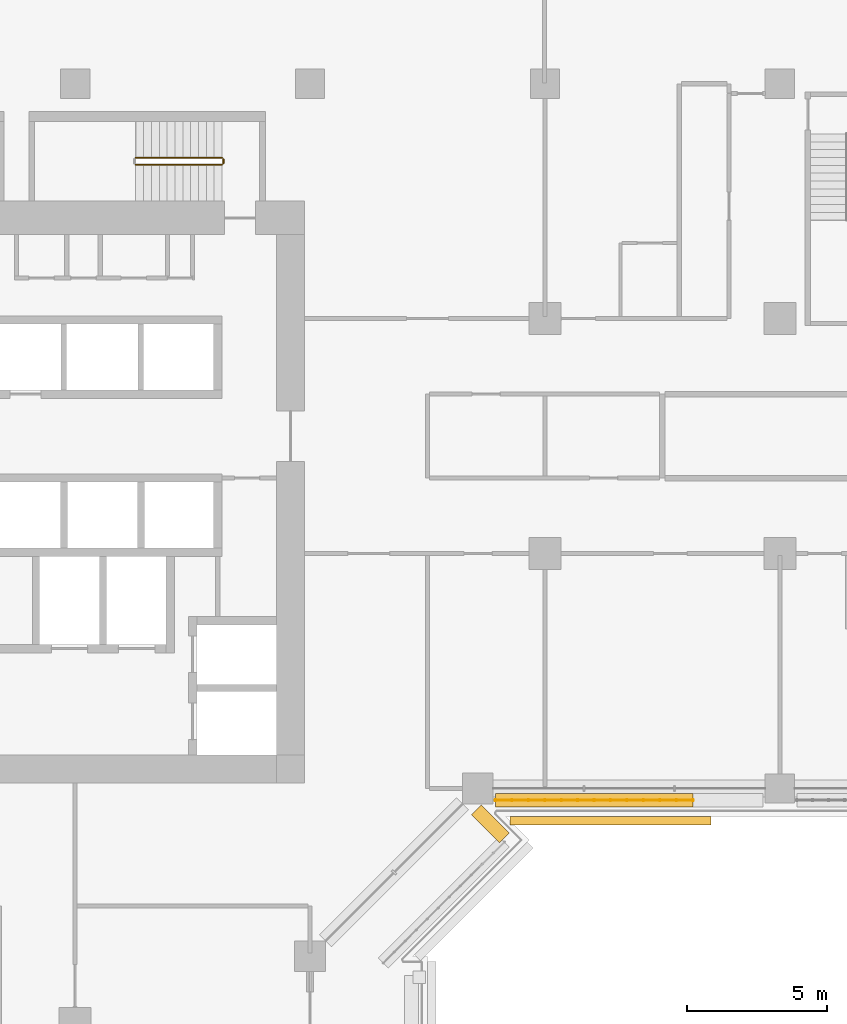
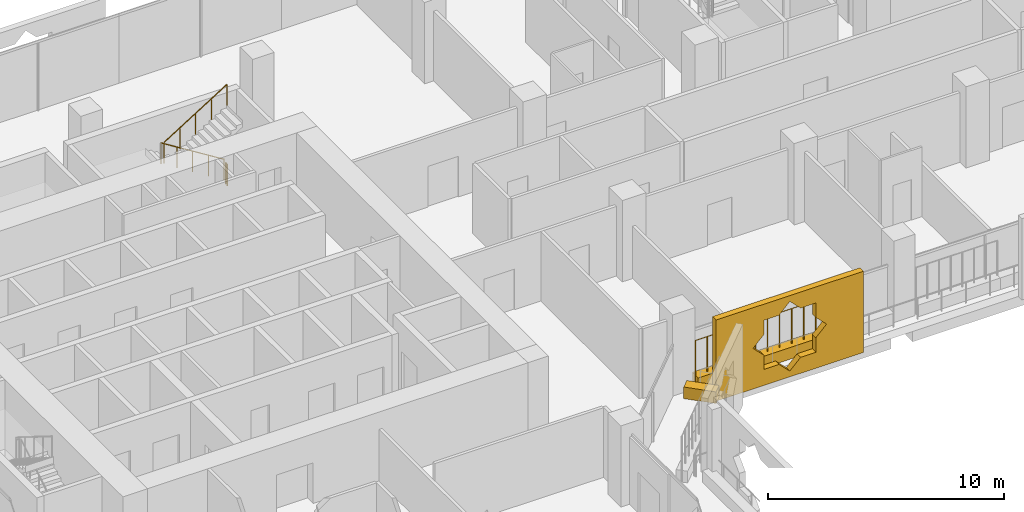
# One storey, part 22 of 25: 4 railings, 3 coverings.
"""IFC4 building model written with IfcOpenShell, lengths in metres."""

from ifc_helpers import new_model, si_unit, direction, frame, origin, origin_2d, place, context, subcontext, project, spatial, polyline, rectangle, circle, outline, extrude, material, material_profile, profile_set, type_object, element, save


model = new_model("IFC4")

# Units and contexts
model_context = context("Model", 3, precision=1e-05, world=origin(), true_north=direction((0.0, 1.0)))
body_context = subcontext(model_context, "Body", "Model", "MODEL_VIEW")
ifc_project = project(units=[si_unit("LENGTHUNIT", "METRE"), si_unit("AREAUNIT", "SQUARE_METRE"), si_unit("VOLUMEUNIT", "CUBIC_METRE"), si_unit("PLANEANGLEUNIT", "RADIAN"), si_unit("MASSUNIT", "GRAM", prefix="KILO")], contexts=[model_context])

# Site, building, storey
site_placement = place(None, origin())
site = spatial("IfcSite", under=ifc_project, at=site_placement, CompositionType="ELEMENT")
building_placement = place(site_placement, origin())
building = spatial("IfcBuilding", under=site, at=building_placement, Name="Kawkab Arch Medical Tower", CompositionType="ELEMENT")
storey_placement = place(building_placement, frame((0.0, 0.0, 128.199951171875)))
storey = spatial("IfcBuildingStorey", under=building, at=storey_placement, Name="L29", CompositionType="ELEMENT", Elevation=128.199951171875)

# Coverings
ifc_material_1 = material(Name="Bronze anodised aluminium mashrabiya panel, eight-point star pattern", Category="aluminium")
ifc_material_profile_1 = material_profile(ifc_material_1, outline(polyline([(-3.60009765625, -2.10009765625), (3.60009765625, -2.10009765625), (3.60009765625, 2.10009765625), (-3.60009765625, 2.10009765625), (-3.60009765625, -2.10009765625)]), holes=[polyline([(1.800048828125, 0.0), (1.272705078125, 0.527099609375), (1.272705078125, 1.272705078125), (0.527099609375, 1.272705078125), (0.0, 1.800048828125), (-0.527099609375, 1.272705078125), (-1.272705078125, 1.272705078125), (-1.272705078125, 0.527099609375), (-1.800048828125, 0.0), (-1.272705078125, -0.527099609375), (-1.272705078125, -1.272705078125), (-0.527099609375, -1.272705078125), (0.0, -1.800048828125), (0.527099609375, -1.272705078125), (1.272705078125, -1.272705078125), (1.272705078125, -0.527099609375), (1.800048828125, 0.0)])]), Name="Mashrabiya panel 7200x4200")
ifc_profile_set_1 = profile_set([ifc_material_profile_1], Name="Bronze anodised aluminium mashrabiya panel, eight-point star pattern")
covering_type_1 = type_object("IfcCoveringType", Name="Mashrabiya panel 7200 x 4200", PredefinedType="USERDEFINED", material=ifc_profile_set_1)
covering_1_placement = place(storey_placement, frame((35.944580078125, -26.199951171875, 1.699951171875), z_axis=(0.0, -1.0, 0.0), x_axis=(1.0, 0.0, 0.0)))
element("IfcCovering", 1, at=covering_1_placement, inside=storey, type_object=covering_type_1, Name="Mashrabiya panel L29.LOG-01-01.13", ObjectType="SCREEN", PredefinedType="USERDEFINED", context=body_context, shape_type="SweptSolid", body=[
    extrude(outline(polyline([(-3.60009765625, -2.10009765625), (3.60009765625, -2.10009765625), (3.60009765625, 2.10009765625), (-3.60009765625, 2.10009765625), (-3.60009765625, -2.10009765625)]), holes=[polyline([(1.800048828125, 0.0), (1.272705078125, 0.527099609375), (1.272705078125, 1.272705078125), (0.527099609375, 1.272705078125), (0.0, 1.800048828125), (-0.527099609375, 1.272705078125), (-1.272705078125, 1.272705078125), (-1.272705078125, 0.527099609375), (-1.800048828125, 0.0), (-1.272705078125, -0.527099609375), (-1.272705078125, -1.272705078125), (-0.527099609375, -1.272705078125), (0.0, -1.800048828125), (0.527099609375, -1.272705078125), (1.272705078125, -1.272705078125), (1.272705078125, -0.527099609375), (1.800048828125, 0.0)])]), origin(), (0.0, 0.0, 1.0), 0.300048828125),
])
ifc_material_2 = material(Name="Planting soil in a precast trough", Category="concrete")
ifc_material_profile_2 = material_profile(ifc_material_2, rectangle(XDim=0.5, YDim=0.60009765625, at=origin_2d()), Name="Trough 500x600")
ifc_profile_set_2 = profile_set([ifc_material_profile_2], Name="Planting soil in a precast trough")
covering_type_2 = type_object("IfcCoveringType", Name="Planter trough 500 x 600", PredefinedType="USERDEFINED", material=ifc_profile_set_2)
covering_2_placement = place(storey_placement, frame((38.89306640625, -25.6201171875, 0.300048828125), z_axis=(-1.0, 0.0, 0.0), x_axis=(0.0, -1.0, 0.0)))
element("IfcCovering", 2, at=covering_2_placement, inside=storey, type_object=covering_type_2, Name="Planter L29.LOG-01-01.41", ObjectType="PLANTER", PredefinedType="USERDEFINED", context=body_context, shape_type="SweptSolid", body=[
    extrude(rectangle(XDim=0.5, YDim=0.60009765625, at=origin_2d()), origin(), (0.0, 0.0, 1.0), 7.06298828125),
])
covering_3_placement = place(storey_placement, frame((31.14306640625, -25.962890625, 0.300048828125), z_axis=(0.707020805532, -0.707192746389, 0.0), x_axis=(0.707192746389, 0.707020805532, 0.0)))
element("IfcCovering", 3, at=covering_3_placement, inside=storey, type_object=covering_type_2, Name="Planter L29.LOG-01-01.42", ObjectType="PLANTER", PredefinedType="USERDEFINED", context=body_context, shape_type="SweptSolid", body=[
    extrude(rectangle(XDim=0.5, YDim=0.60009765625, at=origin_2d()), origin(), (0.0, 0.0, 1.0), 1.419921875),
])

# Railings
ifc_material_3 = material(Name="Bronze anodised aluminium trellis for climbing plants", Category="aluminium")
railing_type_1 = type_object("IfcRailingType", Name="Planting trellis 2400", PredefinedType="USERDEFINED", material=ifc_material_3)
railing_1_placement = place(storey_placement, frame((38.89306640625, -25.6201171875, 0.0)))
element("IfcRailing", 4, at=railing_1_placement, inside=storey, type_object=railing_type_1, Name="Planting trellis L29.LOG-01-01.41", ObjectType="TRELLIS", PredefinedType="USERDEFINED", context=body_context, shape_type="SweptSolid", body=[
    extrude(circle(Radius=0.01513671875, at=origin_2d()), frame((0.0, 0.0, 2.384765625), z_axis=(-1.0, 0.0, 0.0), x_axis=(0.0, -1.0, 0.0)), (0.0, 0.0, 1.0), 7.06298828125),
    extrude(circle(Radius=0.030029296875, at=origin_2d()), origin(), (0.0, 0.0, 1.0), 2.369873046875),
    extrude(circle(Radius=0.030029296875, at=origin_2d()), frame((-0.588623046875, 0.0, 0.0)), (0.0, 0.0, 1.0), 2.369873046875),
    extrude(circle(Radius=0.030029296875, at=origin_2d()), frame((-1.17724609375, 0.0, 0.0)), (0.0, 0.0, 1.0), 2.369873046875),
    extrude(circle(Radius=0.030029296875, at=origin_2d()), frame((-1.765625, 0.0, 0.0)), (0.0, 0.0, 1.0), 2.369873046875),
    extrude(circle(Radius=0.030029296875, at=origin_2d()), frame((-2.354248046875, 0.0, 0.0)), (0.0, 0.0, 1.0), 2.369873046875),
    extrude(circle(Radius=0.030029296875, at=origin_2d()), frame((-2.94287109375, 0.0, 0.0)), (0.0, 0.0, 1.0), 2.369873046875),
    extrude(circle(Radius=0.030029296875, at=origin_2d()), frame((-3.531494140625, 0.0, 0.0)), (0.0, 0.0, 1.0), 2.369873046875),
    extrude(circle(Radius=0.030029296875, at=origin_2d()), frame((-4.1201171875, 0.0, 0.0)), (0.0, 0.0, 1.0), 2.369873046875),
    extrude(circle(Radius=0.030029296875, at=origin_2d()), frame((-4.708740234375, 0.0, 0.0)), (0.0, 0.0, 1.0), 2.369873046875),
    extrude(circle(Radius=0.030029296875, at=origin_2d()), frame((-5.29736328125, 0.0, 0.0)), (0.0, 0.0, 1.0), 2.369873046875),
    extrude(circle(Radius=0.030029296875, at=origin_2d()), frame((-5.8857421875, 0.0, 0.0)), (0.0, 0.0, 1.0), 2.369873046875),
    extrude(circle(Radius=0.030029296875, at=origin_2d()), frame((-6.474365234375, 0.0, 0.0)), (0.0, 0.0, 1.0), 2.369873046875),
    extrude(circle(Radius=0.030029296875, at=origin_2d()), frame((-7.06298828125, 0.0, 0.0)), (0.0, 0.0, 1.0), 2.369873046875),
])
ifc_material_4 = material(Name="Stainless steel", Category="steel")
railing_type_2 = type_object("IfcRailingType", Name="Stair guard 1100", PredefinedType="GUARDRAIL", material=ifc_material_4)
railing_2_placement = place(storey_placement, frame((22.050048828125, -2.64990234375, 0.175048828125)))
element("IfcRailing", 5, at=railing_2_placement, inside=storey, type_object=railing_type_2, Name="L29 ST4 stair guard 1", PredefinedType="GUARDRAIL", context=body_context, shape_type="SweptSolid", body=[
    extrude(circle(Radius=0.02392578125, at=origin_2d()), frame((0.0, 0.0, 1.076171875), z_axis=(-0.847998304005, 0.0, 0.529998940003), x_axis=(0.0, -1.0, 0.0)), (0.0, 0.0, 1.0), 3.632080078125),
    extrude(circle(Radius=0.02099609375, at=origin_2d()), origin(), (0.0, 0.0, 1.0), 1.052001953125),
    extrude(circle(Radius=0.02099609375, at=origin_2d()), frame((-0.77001953125, 0.0, 0.481201171875)), (0.0, 0.0, 1.0), 1.052001953125),
    extrude(circle(Radius=0.02099609375, at=origin_2d()), frame((-1.5400390625, 0.0, 0.96240234375)), (0.0, 0.0, 1.0), 1.052001953125),
    extrude(circle(Radius=0.02099609375, at=origin_2d()), frame((-2.31005859375, 0.0, 1.44384765625)), (0.0, 0.0, 1.0), 1.052001953125),
    extrude(circle(Radius=0.02099609375, at=origin_2d()), frame((-3.080078125, 0.0, 1.925048828125)), (0.0, 0.0, 1.0), 1.052001953125),
])
railing_3_placement = place(storey_placement, frame((18.969970703125, -2.89990234375, 2.275146484375)))
element("IfcRailing", 6, at=railing_3_placement, inside=storey, type_object=railing_type_2, Name="L29 ST4 stair guard 3", PredefinedType="GUARDRAIL", context=body_context, shape_type="SweptSolid", body=[
    extrude(circle(Radius=0.02392578125, at=origin_2d()), frame((0.0, 0.0, 1.076171875), z_axis=(0.848028513186, 0.0, 0.529950602248), x_axis=(0.0, 1.0, 0.0)), (0.0, 0.0, 1.0), 3.632080078125),
    extrude(circle(Radius=0.02099609375, at=origin_2d()), origin(), (0.0, 0.0, 1.0), 1.052001953125),
    extrude(circle(Radius=0.02099609375, at=origin_2d()), frame((0.77001953125, 0.0, 0.481201171875)), (0.0, 0.0, 1.0), 1.052001953125),
    extrude(circle(Radius=0.02099609375, at=origin_2d()), frame((1.5400390625, 0.0, 0.96240234375)), (0.0, 0.0, 1.0), 1.052001953125),
    extrude(circle(Radius=0.02099609375, at=origin_2d()), frame((2.31005859375, 0.0, 1.443603515625)), (0.0, 0.0, 1.0), 1.052001953125),
    extrude(circle(Radius=0.02099609375, at=origin_2d()), frame((3.080078125, 0.0, 1.9248046875)), (0.0, 0.0, 1.0), 1.052001953125),
])
railing_4_placement = place(storey_placement, frame((22.10009765625, -2.699951171875, 0.0)))
element("IfcRailing", 7, at=railing_4_placement, inside=storey, type_object=railing_type_2, Name="L29 ST4 stair guard 4", PredefinedType="GUARDRAIL", context=body_context, shape_type="SweptSolid", body=[
    extrude(circle(Radius=0.02392578125, at=origin_2d()), frame((0.0, 0.0, 1.076171875), z_axis=(0.0, -1.0, 0.0), x_axis=(1.0, 0.0, 0.0)), (0.0, 0.0, 1.0), 0.150146484375),
    extrude(circle(Radius=0.02099609375, at=origin_2d()), origin(), (0.0, 0.0, 1.0), 1.052001953125),
    extrude(circle(Radius=0.02099609375, at=origin_2d()), frame((0.0, -0.150146484375, 0.0)), (0.0, 0.0, 1.0), 1.052001953125),
])

save(model, "model.ifc")
